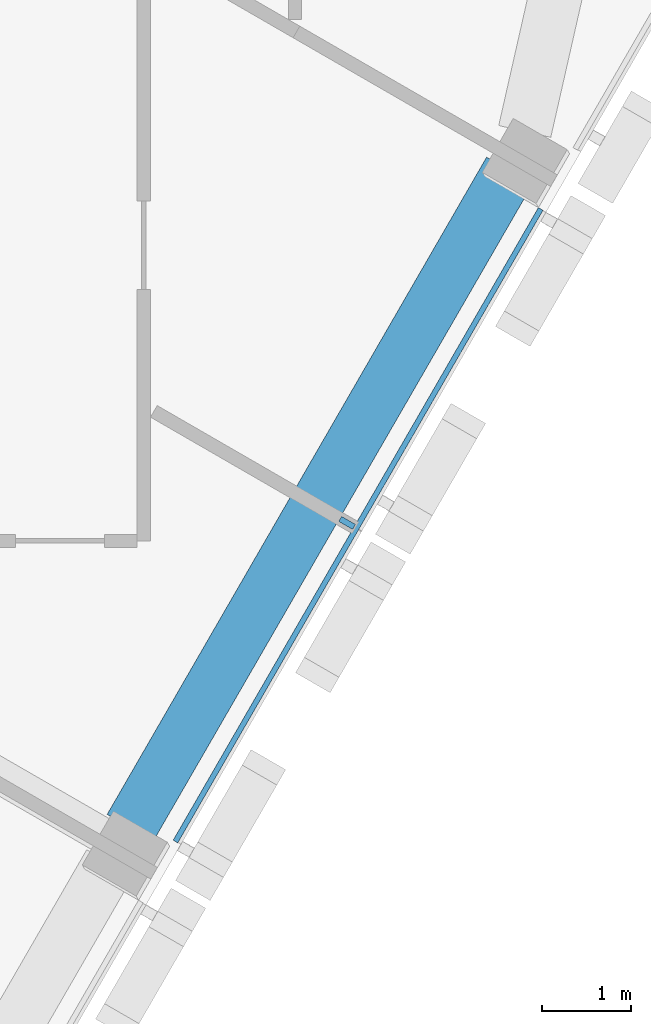
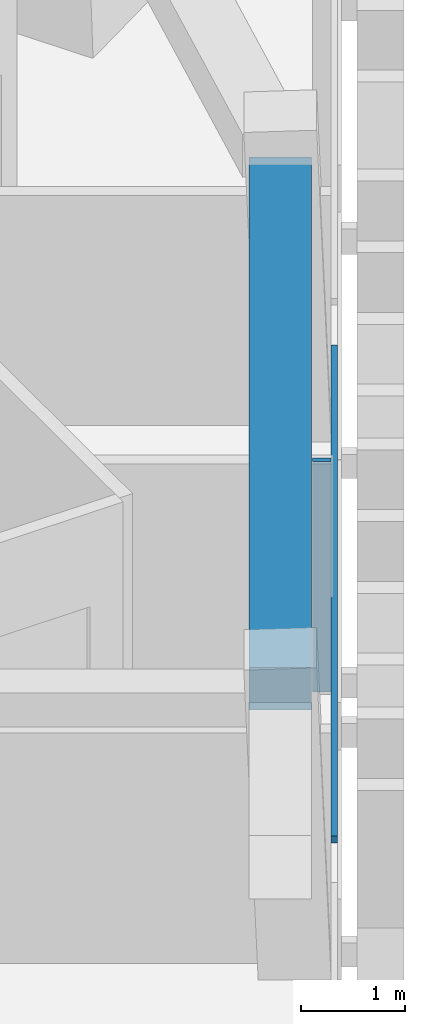
# One storey, part 4 of 14: 2 members, 1 beam, 1 element without a shape of its own.
"""IFC4 building model written with IfcOpenShell, lengths in metres."""

from ifc_helpers import new_model, si_unit, direction, frame, origin, origin_2d, place, context, subcontext, project, spatial, rectangle, extrude, material, layer, layer_set, material_profile, profile_set, type_object, element, aggregate, save


model = new_model("IFC4")

# Units and contexts
model_context = context("Model", 3, precision=1e-05, world=origin(), true_north=direction((0.0, 1.0)))
body_context = subcontext(model_context, "Body", "Model", "MODEL_VIEW")
ifc_project = project(units=[si_unit("LENGTHUNIT", "METRE"), si_unit("AREAUNIT", "SQUARE_METRE"), si_unit("VOLUMEUNIT", "CUBIC_METRE"), si_unit("PLANEANGLEUNIT", "RADIAN"), si_unit("MASSUNIT", "GRAM", prefix="KILO")], contexts=[model_context])

# Site, building, storey
site_placement = place(None, origin())
site = spatial("IfcSite", under=ifc_project, at=site_placement, CompositionType="ELEMENT")
building_placement = place(site_placement, origin())
building = spatial("IfcBuilding", under=site, at=building_placement, Name="Altiplano Prism Tower", CompositionType="ELEMENT")
storey_placement = place(building_placement, frame((0.0, 0.0, 271.60009765625)))
storey = spatial("IfcBuildingStorey", under=building, at=storey_placement, Name="L70", CompositionType="ELEMENT", Elevation=271.60009765625)

# Curtain wall, members
ifc_material_1 = material(Name="Aluminium and glass", Category="aluminium")
ifc_layer = layer(ifc_material_1, 0.280029296875)
ifc_layer_set = layer_set([ifc_layer], Name="Aluminium and glass")
curtain_wall_type = type_object("IfcCurtainWallType", Name="CW1 typical co-living unitised curtain wall", PredefinedType="NOTDEFINED", material=ifc_layer_set)
curtain_wall_placement = place(storey_placement, origin())
curtain_wall = element("IfcCurtainWall", 1, at=curtain_wall_placement, inside=storey, type_object=curtain_wall_type, Name="CW1 curtain wall south-east face L70", PredefinedType="NOTDEFINED")
ifc_material_2 = material(Name="Aluminium", Category="aluminium")
ifc_material_profile_1 = material_profile(ifc_material_2, rectangle(XDim=0.179931640625, YDim=0.06494140625, at=origin_2d()), Name="CW1 mullion 65 x 180")
ifc_profile_set_1 = profile_set([ifc_material_profile_1], Name="Aluminium")
member_type_1 = type_object("IfcMemberType", Name="CW1 mullion 65 x 180", PredefinedType="MULLION", material=ifc_profile_set_1)
member_1_placement = place(storey_placement, frame((102.087158203125, 90.802734375, 0.0), z_axis=(0.0, 0.0, 1.0), x_axis=(-0.866025407039, 0.499999994362, 0.0)))
member_1 = element("IfcMember", 2, at=member_1_placement, type_object=member_type_1, Name="CW1 mullion", PredefinedType="MULLION", context=body_context, shape_type="SweptSolid", body=[
    extrude(rectangle(XDim=0.179931640625, YDim=0.06494140625, at=origin_2d()), origin(), (0.0, 0.0, 1.0), 2.699951171875),
])
ifc_material_profile_2 = material_profile(ifc_material_2, rectangle(XDim=0.06005859375, YDim=0.080078125, at=origin_2d()), Name="CW1 transom 80 x 60")
ifc_profile_set_2 = profile_set([ifc_material_profile_2], Name="Aluminium")
member_type_2 = type_object("IfcMemberType", Name="CW1 transom 80 x 60", PredefinedType="USERDEFINED", material=ifc_profile_set_2)
member_2_placement = place(storey_placement, frame((100.15576171875, 87.217529296875, 1.099853515625), z_axis=(0.500013829788, 0.866017419005, 0.0), x_axis=(-0.866017419005, 0.500013829788, 0.0)))
member_2 = element("IfcMember", 3, at=member_2_placement, type_object=member_type_2, Name="CW1 transom", ObjectType="TRANSOM", PredefinedType="USERDEFINED", context=body_context, shape_type="SweptSolid", body=[
    extrude(rectangle(XDim=0.06005859375, YDim=0.080078125, at=origin_2d()), origin(), (0.0, 0.0, 1.0), 8.219970703125),
])
aggregate(curtain_wall, [member_1, member_2])

# Beam
ifc_material_3 = material(Name="Concrete C60/75", Category="concrete")
ifc_material_profile_3 = material_profile(ifc_material_3, rectangle(XDim=0.60009765625, YDim=0.5, at=origin_2d()), Name="Edge beam 600x500")
ifc_profile_set_3 = profile_set([ifc_material_profile_3], Name="Concrete C60/75")
beam_type = type_object("IfcBeamType", Name="Edge beam 600x500", PredefinedType="SPANDREL", material=ifc_profile_set_3)
beam_placement = place(storey_placement, frame((99.64697265625, 87.373291015625, 2.949951171875), z_axis=(0.500007039007, 0.866021339774, 0.0), x_axis=(-0.866021339774, 0.500007039007, 0.0)))
element("IfcBeam", 4, at=beam_placement, inside=storey, type_object=beam_type, Name="Edge beam P23-P24 L71", PredefinedType="SPANDREL", context=body_context, shape_type="SweptSolid", body=[
    extrude(rectangle(XDim=0.60009765625, YDim=0.5, at=origin_2d()), origin(), (0.0, 0.0, 1.0), 8.5400390625),
])

save(model, "model.ifc")
